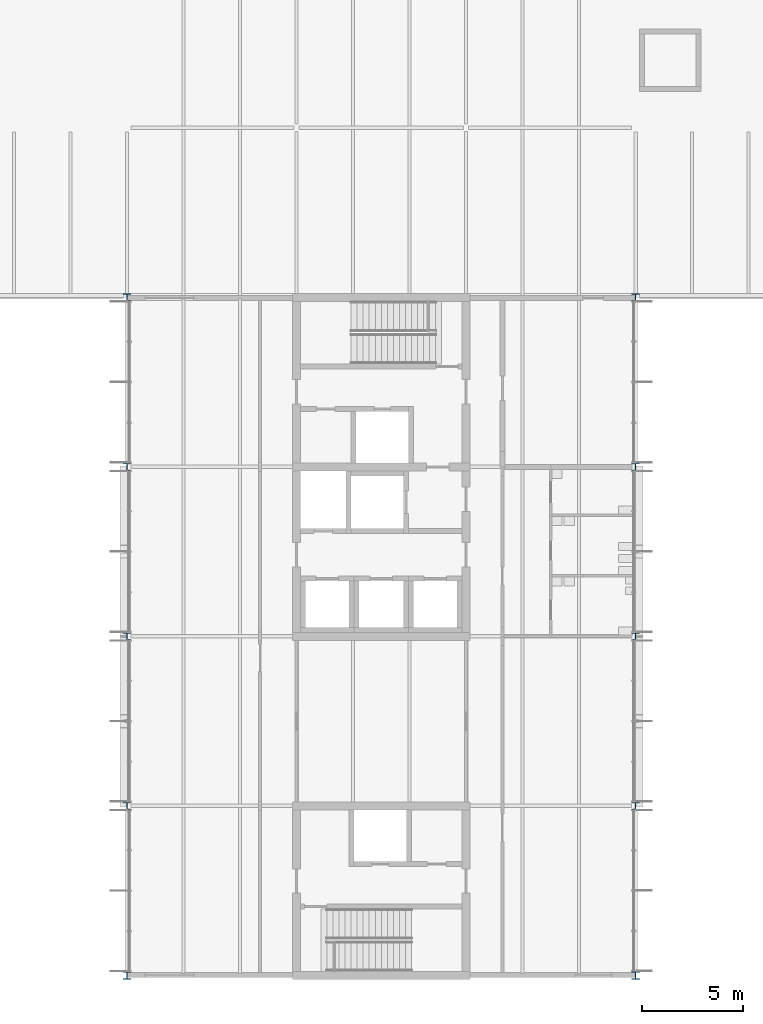
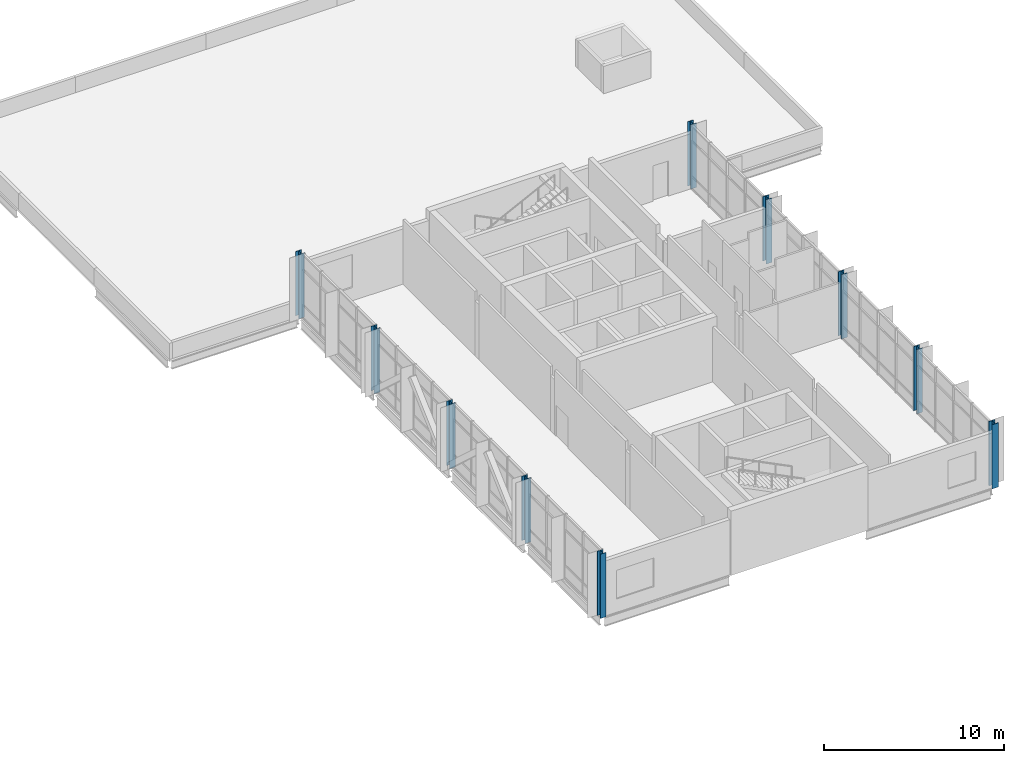
# One storey, part 3 of 26: 10 columns.
"""IFC4 building model written with IfcOpenShell, lengths in metres."""

from ifc_helpers import new_model, si_unit, direction, frame, origin, origin_2d, place, context, subcontext, project, spatial, i_section, extrude, material, material_profile, profile_set, type_object, element, save


model = new_model("IFC4")

# Units and contexts
model_context = context("Model", 3, precision=1e-05, world=origin(), true_north=direction((0.0, 1.0)))
body_context = subcontext(model_context, "Body", "Model", "MODEL_VIEW")
ifc_project = project(units=[si_unit("LENGTHUNIT", "METRE"), si_unit("AREAUNIT", "SQUARE_METRE"), si_unit("VOLUMEUNIT", "CUBIC_METRE"), si_unit("PLANEANGLEUNIT", "RADIAN"), si_unit("MASSUNIT", "GRAM", prefix="KILO")], contexts=[model_context])

# Site, building, storey
site_placement = place(None, origin())
site = spatial("IfcSite", under=ifc_project, at=site_placement, CompositionType="ELEMENT")
building_placement = place(site_placement, origin())
building = spatial("IfcBuilding", under=site, at=building_placement, Name="Hlaing Beacon Police Headquarters", CompositionType="ELEMENT")
storey_placement = place(building_placement, frame((0.0, 0.0, 23.39990234375)))
storey = spatial("IfcBuildingStorey", under=building, at=storey_placement, Name="L05", CompositionType="ELEMENT", Elevation=23.39990234375)

# Columns
ifc_material_1 = material(Name="Steel ASTM A992 Grade 50", Category="steel")
ifc_material_profile_1 = material_profile(ifc_material_1, i_section(OverallWidth=0.370849609375, OverallDepth=0.36328125, WebThickness=0.013427734375, FlangeThickness=0.021728515625, FilletRadius=0.01513671875, at=origin_2d()), Name="W14x109")
ifc_profile_set_1 = profile_set([ifc_material_profile_1], Name="Steel ASTM A992 Grade 50")
column_type_1 = type_object("IfcColumnType", Name="Steel column W14x109", PredefinedType="COLUMN", material=ifc_profile_set_1)
for number, where, z_axis, x_axis, name in (
    (1, (100.800048828125, 33.60009765625, 0.0), (0.0, 0.0, 1.0), (1.0, 0.0, 0.0), "STR-COL-L05-N5"),
    (2, (100.800048828125, 67.199951171875, 0.0), (0.0, 0.0, 1.0), (1.0, 0.0, 0.0), "STR-COL-L05-N9"),
    (3, (126.0, 67.199951171875, 0.0), (0.0, 0.0, 1.0), (1.0, 0.0, 0.0), "STR-COL-L05-R9"),
):
    element("IfcColumn", number, at=place(storey_placement, frame(where, z_axis=z_axis, x_axis=x_axis)), inside=storey, type_object=column_type_1, Name=name, PredefinedType="COLUMN", context=body_context, shape_type="SweptSolid", body=[
        extrude(i_section(OverallWidth=0.370849609375, OverallDepth=0.36328125, WebThickness=0.013427734375, FlangeThickness=0.021728515625, FilletRadius=0.01513671875, at=origin_2d()), origin(), (0.0, 0.0, 1.0), 4.3701171875),
    ])
ifc_material_2 = material(Name="Steel ASTM A992 Grade 50", Category="steel")
ifc_material_profile_2 = material_profile(ifc_material_2, i_section(OverallWidth=0.373291015625, OverallDepth=0.373291015625, WebThickness=0.016357421875, FlangeThickness=0.026123046875, FilletRadius=0.01513671875, at=origin_2d()), Name="W14x132")
ifc_profile_set_2 = profile_set([ifc_material_profile_2], Name="Steel ASTM A992 Grade 50")
column_type_2 = type_object("IfcColumnType", Name="Steel column W14x132", PredefinedType="COLUMN", material=ifc_profile_set_2)
for number, where, z_axis, x_axis, name in (
    (4, (100.800048828125, 42.0, 0.0), (0.0, 0.0, 1.0), (1.0, 0.0, 0.0), "STR-COL-L05-N6"),
    (5, (100.800048828125, 50.39990234375, 0.0), (0.0, 0.0, 1.0), (1.0, 0.0, 0.0), "STR-COL-L05-N7"),
    (6, (100.800048828125, 58.800048828125, 0.0), (0.0, 0.0, 1.0), (1.0, 0.0, 0.0), "STR-COL-L05-N8"),
    (7, (126.0, 42.0, 0.0), (0.0, 0.0, 1.0), (1.0, 0.0, 0.0), "STR-COL-L05-R6"),
    (8, (126.0, 50.39990234375, 0.0), (0.0, 0.0, 1.0), (1.0, 0.0, 0.0), "STR-COL-L05-R7"),
    (9, (126.0, 58.800048828125, 0.0), (0.0, 0.0, 1.0), (1.0, 0.0, 0.0), "STR-COL-L05-R8"),
):
    element("IfcColumn", number, at=place(storey_placement, frame(where, z_axis=z_axis, x_axis=x_axis)), inside=storey, type_object=column_type_2, Name=name, PredefinedType="COLUMN", context=body_context, shape_type="SweptSolid", body=[
        extrude(i_section(OverallWidth=0.373291015625, OverallDepth=0.373291015625, WebThickness=0.016357421875, FlangeThickness=0.026123046875, FilletRadius=0.01513671875, at=origin_2d()), origin(), (0.0, 0.0, 1.0), 4.3701171875),
    ])
ifc_material_3 = material(Name="Steel ASTM A992 Grade 50", Category="steel")
ifc_material_profile_3 = material_profile(ifc_material_3, i_section(OverallWidth=0.398681640625, OverallDepth=0.393798828125, WebThickness=0.022705078125, FlangeThickness=0.03662109375, FilletRadius=0.01513671875, at=origin_2d()), Name="W14x193")
ifc_profile_set_3 = profile_set([ifc_material_profile_3], Name="Steel ASTM A992 Grade 50")
column_type_3 = type_object("IfcColumnType", Name="Steel column W14x193", PredefinedType="COLUMN", material=ifc_profile_set_3)
column_placement = place(storey_placement, frame((126.0, 33.60009765625, 0.0), z_axis=(0.0, 0.0, 1.0), x_axis=(1.0, 0.0, 0.0)))
element("IfcColumn", 10, at=column_placement, inside=storey, type_object=column_type_3, Name="STR-COL-L05-R5", PredefinedType="COLUMN", context=body_context, shape_type="SweptSolid", body=[
    extrude(i_section(OverallWidth=0.398681640625, OverallDepth=0.393798828125, WebThickness=0.022705078125, FlangeThickness=0.03662109375, FilletRadius=0.01513671875, at=origin_2d()), origin(), (0.0, 0.0, 1.0), 4.3701171875),
])

save(model, "model.ifc")
